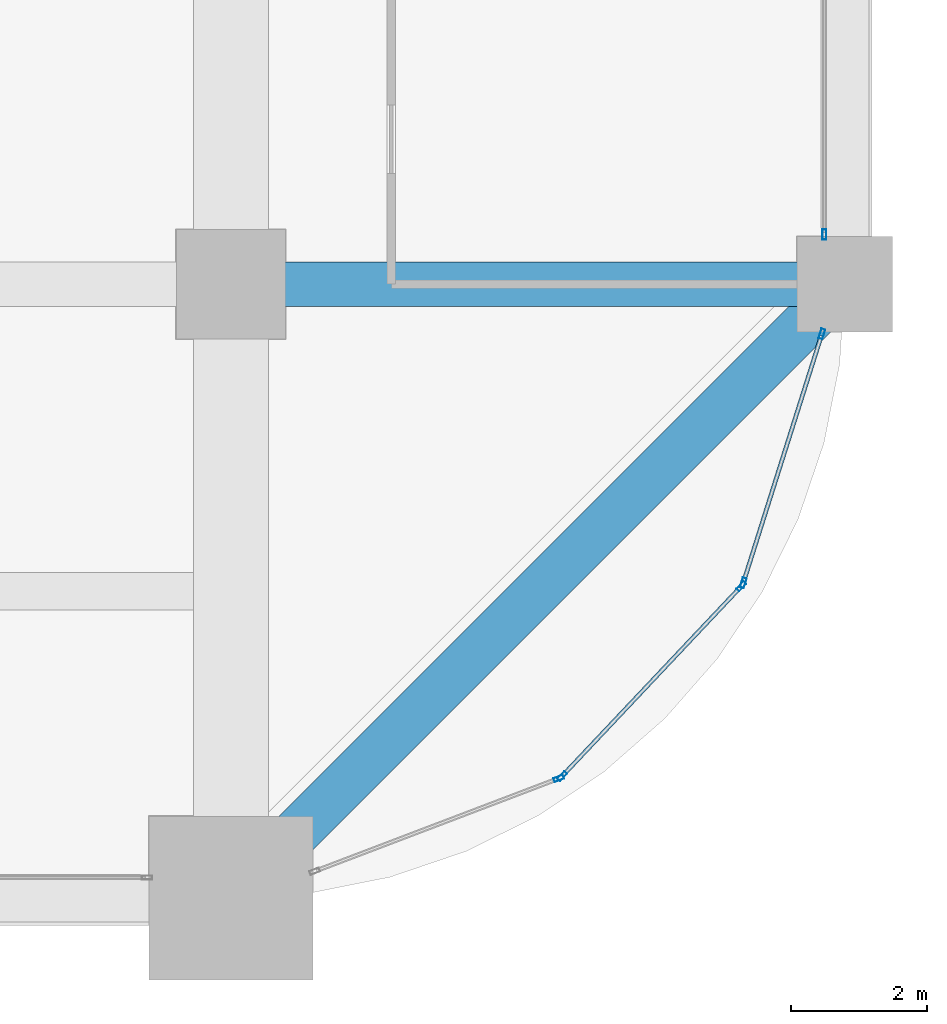
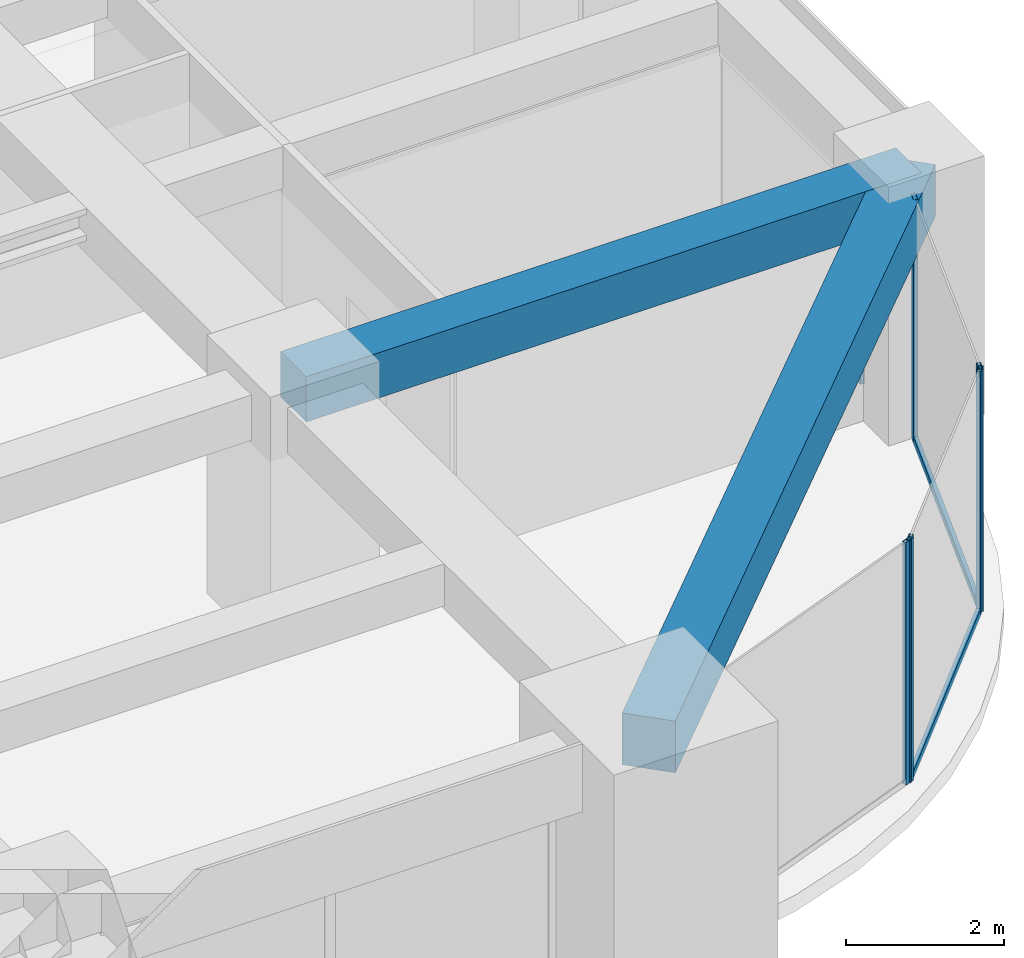
# One storey, part 16 of 33: 8 members, 2 beams, 4 elements without a shape of their own.
"""IFC4 building model written with IfcOpenShell, lengths in metres."""

from ifc_helpers import new_model, si_unit, direction, frame, origin, origin_2d, place, context, subcontext, project, spatial, rectangle, hollow_rectangle, extrude, material, material_profile, profile_set, type_object, element, aggregate, save


model = new_model("IFC4")

# Units and contexts
model_context = context("Model", 3, precision=1e-05, world=origin(), true_north=direction((0.0, 1.0)))
body_context = subcontext(model_context, "Body", "Model", "MODEL_VIEW")
ifc_project = project(units=[si_unit("LENGTHUNIT", "METRE"), si_unit("AREAUNIT", "SQUARE_METRE"), si_unit("VOLUMEUNIT", "CUBIC_METRE"), si_unit("PLANEANGLEUNIT", "RADIAN"), si_unit("MASSUNIT", "GRAM", prefix="KILO")], contexts=[model_context])

# Site, building, storey
site_placement = place(None, origin())
site = spatial("IfcSite", under=ifc_project, at=site_placement, CompositionType="ELEMENT")
building_placement = place(site_placement, origin())
building = spatial("IfcBuilding", under=site, at=building_placement, Name="Zorevar Civic Tower", CompositionType="ELEMENT")
storey_placement = place(building_placement, frame((0.0, 0.0, 194.199951171875)))
storey = spatial("IfcBuildingStorey", under=building, at=storey_placement, Name="L47", CompositionType="ELEMENT", Elevation=194.199951171875)

# Beam
ifc_material_1 = material(Name="Concrete C50/60", Category="concrete")
ifc_material_profile_1 = material_profile(ifc_material_1, rectangle(XDim=0.64990234375, YDim=0.699951171875, at=origin_2d()), Name="RC 650x700")
ifc_profile_set_1 = profile_set([ifc_material_profile_1], Name="Concrete C50/60")
beam_type_1 = type_object("IfcBeamType", Name="Beam RC 650x700", PredefinedType="BEAM", material=ifc_profile_set_1)
beam_1_placement = place(storey_placement, frame((45.0, 9.0, 3.400146484375), z_axis=(1.0, 0.0, 0.0), x_axis=(0.0, 1.0, 0.0)))
element("IfcBeam", 1, at=beam_1_placement, inside=storey, type_object=beam_type_1, Name="Girder L48", PredefinedType="BEAM", context=body_context, shape_type="SweptSolid", body=[
    extrude(rectangle(XDim=0.64990234375, YDim=0.699951171875, at=origin_2d()), origin(), (0.0, 0.0, 1.0), 9.0),
])

# Curtain wall, member
ifc_material_2 = material(Name="Dark grey solar-control glass in black aluminium frame", Category="aluminium")
curtain_wall_type = type_object("IfcCurtainWallType", Name="Curtain wall CW4 high zone", PredefinedType="NOTDEFINED", material=ifc_material_2)
curtain_wall_1_placement = place(storey_placement, origin())
curtain_wall_1 = element("IfcCurtainWall", 2, at=curtain_wall_1_placement, inside=storey, type_object=curtain_wall_type, Name="CW4 L47", PredefinedType="NOTDEFINED")
ifc_material_3 = material(Name="Aluminium, black anodised", Category="aluminium")
ifc_material_profile_2 = material_profile(ifc_material_3, hollow_rectangle(XDim=0.06005859375, YDim=0.14990234375, WallThickness=0.00390625, at=origin_2d()), Name="AL 150x60x4")
ifc_profile_set_2 = profile_set([ifc_material_profile_2], Name="Aluminium, black anodised")
member_type_1 = type_object("IfcMemberType", Name="CW4 mullion AL 150x60x4", PredefinedType="MULLION", material=ifc_profile_set_2)
member_1_placement = place(storey_placement, frame((53.699951171875, 9.72998046875, 0.0), z_axis=(0.0, 0.0, 1.0), x_axis=(-1.0, 0.0, 0.0)))
member_1 = element("IfcMember", 3, at=member_1_placement, type_object=member_type_1, Name="CW4 mullion 1", PredefinedType="MULLION", context=body_context, shape_type="SweptSolid", body=[
    extrude(hollow_rectangle(XDim=0.06005859375, YDim=0.14990234375, WallThickness=0.00390625, at=origin_2d()), origin(), (0.0, 0.0, 1.0), 2.949951171875),
])
aggregate(curtain_wall_1, [member_1])

curtain_wall_2_placement = place(storey_placement, origin())
curtain_wall_2 = element("IfcCurtainWall", 4, at=curtain_wall_2_placement, inside=storey, type_object=curtain_wall_type, Name="CW4 L47", PredefinedType="NOTDEFINED")
member_2_placement = place(storey_placement, frame((49.804931640625, 1.75537109375, 0.0), z_axis=(0.0, 0.0, 1.0), x_axis=(-0.355730895803, 0.93458842801, 0.0)))
member_2 = element("IfcMember", 5, at=member_2_placement, type_object=member_type_1, Name="CW4 mullion 2", PredefinedType="MULLION", context=body_context, shape_type="SweptSolid", body=[
    extrude(hollow_rectangle(XDim=0.06005859375, YDim=0.14990234375, WallThickness=0.00390625, at=origin_2d()), origin(), (0.0, 0.0, 1.0), 3.75),
])
aggregate(curtain_wall_2, [member_2])

# Curtain wall, members
curtain_wall_3_placement = place(storey_placement, origin())
curtain_wall_3 = element("IfcCurtainWall", 6, at=curtain_wall_3_placement, inside=storey, type_object=curtain_wall_type, Name="CW4 L47", PredefinedType="NOTDEFINED")
member_3_placement = place(storey_placement, frame((49.853759765625, 1.787841796875, 0.0), z_axis=(0.0, 0.0, 1.0), x_axis=(-0.727245053898, 0.686377907265, 0.0)))
member_3 = element("IfcMember", 7, at=member_3_placement, type_object=member_type_1, Name="CW4 mullion 1", PredefinedType="MULLION", context=body_context, shape_type="SweptSolid", body=[
    extrude(hollow_rectangle(XDim=0.06005859375, YDim=0.14990234375, WallThickness=0.00390625, at=origin_2d()), origin(), (0.0, 0.0, 1.0), 3.75),
])
member_4_placement = place(storey_placement, frame((52.480712890625, 4.5712890625, 0.0), z_axis=(0.0, 0.0, 1.0), x_axis=(-0.727245053898, 0.686377907265, 0.0)))
member_4 = element("IfcMember", 8, at=member_4_placement, type_object=member_type_1, Name="CW4 mullion 2", PredefinedType="MULLION", context=body_context, shape_type="SweptSolid", body=[
    extrude(hollow_rectangle(XDim=0.06005859375, YDim=0.14990234375, WallThickness=0.00390625, at=origin_2d()), origin(), (0.0, 0.0, 1.0), 3.75),
])

curtain_wall_4_placement = place(storey_placement, origin())
curtain_wall_4 = element("IfcCurtainWall", 9, at=curtain_wall_4_placement, inside=storey, type_object=curtain_wall_type, Name="CW4 L47", PredefinedType="NOTDEFINED")
member_5_placement = place(storey_placement, frame((52.51025390625, 4.62158203125, 0.0), z_axis=(0.0, 0.0, 1.0), x_axis=(-0.953589950678, 0.301108296077, 0.0)))
member_5 = element("IfcMember", 10, at=member_5_placement, type_object=member_type_1, Name="CW4 mullion 1", PredefinedType="MULLION", context=body_context, shape_type="SweptSolid", body=[
    extrude(hollow_rectangle(XDim=0.06005859375, YDim=0.14990234375, WallThickness=0.00390625, at=origin_2d()), origin(), (0.0, 0.0, 1.0), 3.75),
])
member_6_placement = place(storey_placement, frame((53.66259765625, 8.271484375, 0.0), z_axis=(0.0, 0.0, 1.0), x_axis=(-0.953589950678, 0.301108296077, 0.0)))
member_6 = element("IfcMember", 11, at=member_6_placement, type_object=member_type_1, Name="CW4 mullion 2", PredefinedType="MULLION", context=body_context, shape_type="SweptSolid", body=[
    extrude(hollow_rectangle(XDim=0.06005859375, YDim=0.14990234375, WallThickness=0.00390625, at=origin_2d()), origin(), (0.0, 0.0, 1.0), 3.75),
])

# Member
ifc_material_4 = material(Name="Aluminium, black anodised", Category="aluminium")
ifc_material_profile_3 = material_profile(ifc_material_4, hollow_rectangle(XDim=0.06005859375, YDim=0.1201171875, WallThickness=0.0029296875, at=origin_2d()), Name="AL 120x60x3")
ifc_profile_set_3 = profile_set([ifc_material_profile_3], Name="Aluminium, black anodised")
member_type_2 = type_object("IfcMemberType", Name="CW4 transom AL 120x60x3", PredefinedType="USERDEFINED", material=ifc_profile_set_3)
member_7_placement = place(storey_placement, frame((49.874267578125, 1.8095703125, 0.030029296875), z_axis=(0.686332338526, 0.727288059227, 0.0), x_axis=(-0.727288059227, 0.686332338526, 0.0)))
member_7 = element("IfcMember", 12, at=member_7_placement, type_object=member_type_2, Name="CW4 sill transom", ObjectType="TRANSOM", PredefinedType="USERDEFINED", context=body_context, shape_type="SweptSolid", body=[
    extrude(hollow_rectangle(XDim=0.06005859375, YDim=0.1201171875, WallThickness=0.0029296875, at=origin_2d()), origin(), (0.0, 0.0, 1.0), 3.767333984375),
])

aggregate(curtain_wall_3, [member_3, member_4, member_7])

member_8_placement = place(storey_placement, frame((52.519287109375, 4.650390625, 0.030029296875), z_axis=(0.301100351109, 0.953592459367, 0.0), x_axis=(-0.953592459367, 0.301100351109, 0.0)))
member_8 = element("IfcMember", 13, at=member_8_placement, type_object=member_type_2, Name="CW4 sill transom", ObjectType="TRANSOM", PredefinedType="USERDEFINED", context=body_context, shape_type="SweptSolid", body=[
    extrude(hollow_rectangle(XDim=0.06005859375, YDim=0.1201171875, WallThickness=0.0029296875, at=origin_2d()), origin(), (0.0, 0.0, 1.0), 3.76708984375),
])

aggregate(curtain_wall_4, [member_5, member_6, member_8])

# Beam
ifc_material_5 = material(Name="Concrete C50/60", Category="concrete")
ifc_material_profile_4 = material_profile(ifc_material_5, rectangle(XDim=0.699951171875, YDim=0.800048828125, at=origin_2d()), Name="RC 700x800")
ifc_profile_set_4 = profile_set([ifc_material_profile_4], Name="Concrete C50/60")
beam_type_2 = type_object("IfcBeamType", Name="Edge beam RC 700x800", PredefinedType="SPANDREL", material=ifc_profile_set_4)
beam_2_placement = place(storey_placement, frame((45.0, 0.0, 3.35009765625), z_axis=(0.707106781187, 0.707106781187, 0.0), x_axis=(-0.707106781187, 0.707106781187, 0.0)))
element("IfcBeam", 14, at=beam_2_placement, inside=storey, type_object=beam_type_2, Name="Corner edge beam L48", PredefinedType="SPANDREL", context=body_context, shape_type="SweptSolid", body=[
    extrude(rectangle(XDim=0.699951171875, YDim=0.800048828125, at=origin_2d()), origin(), (0.0, 0.0, 1.0), 12.72802734375),
])

save(model, "model.ifc")
